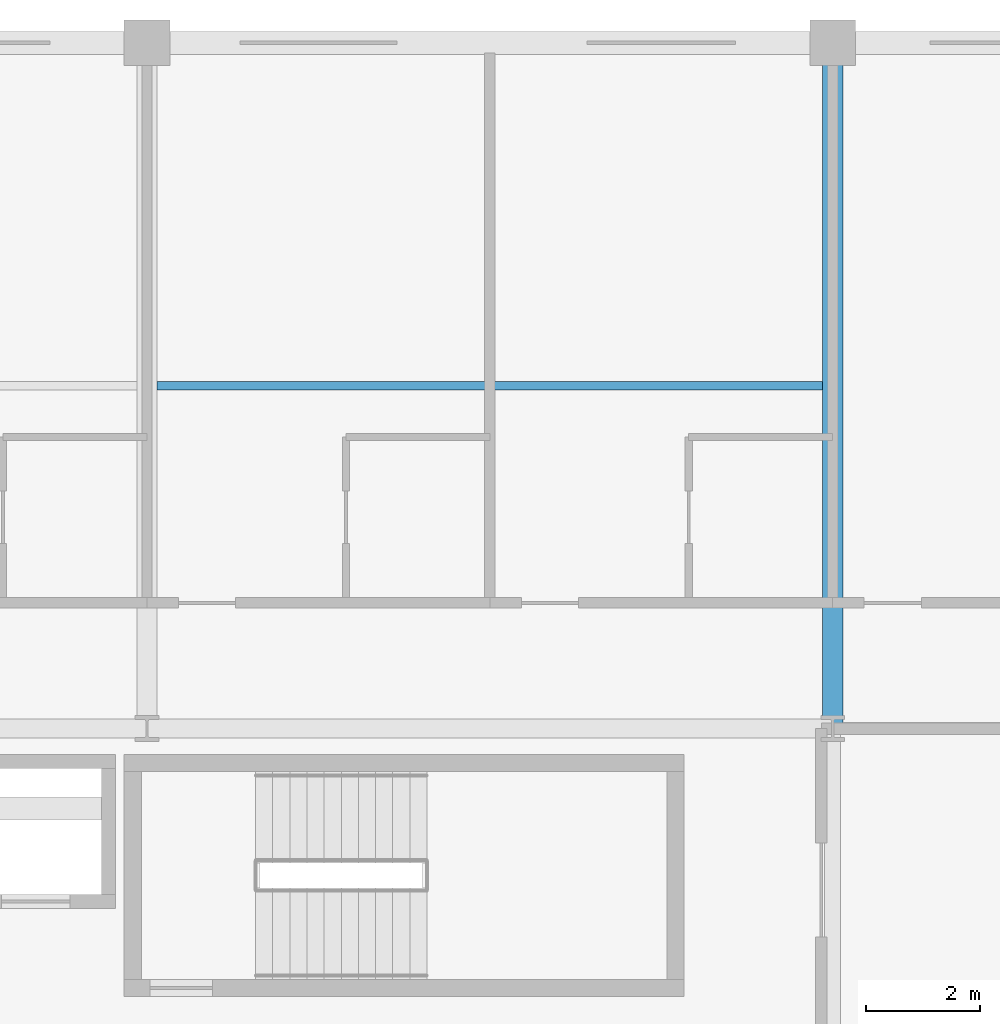
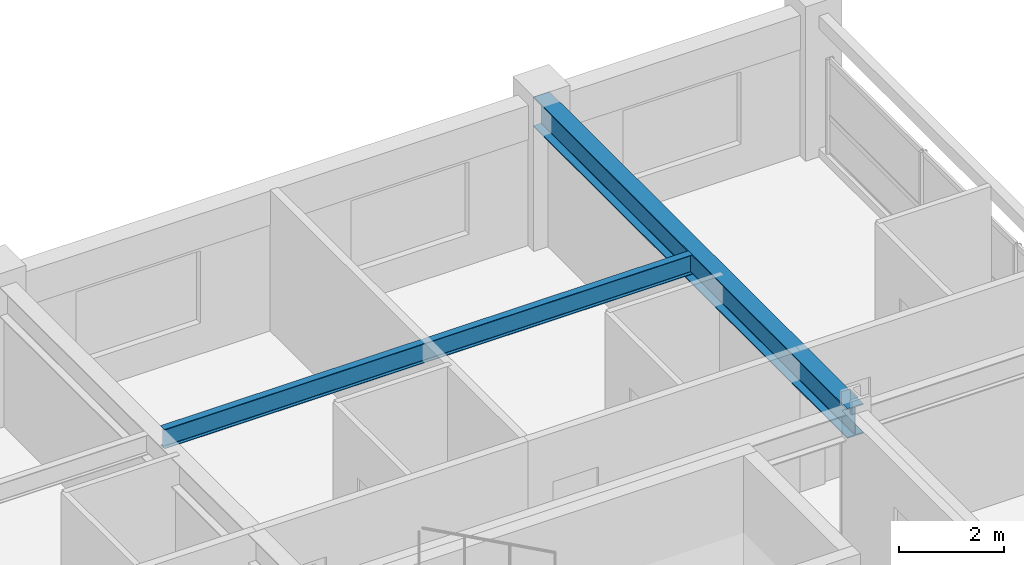
# One storey, part 15 of 26: 2 beams.
"""IFC4 building model written with IfcOpenShell, lengths in metres."""

from ifc_helpers import new_model, si_unit, direction, frame, origin, origin_2d, place, context, subcontext, project, spatial, i_section, extrude, material, material_profile, profile_set, type_object, element, save


model = new_model("IFC4")

# Units and contexts
model_context = context("Model", 3, precision=1e-05, world=origin(), true_north=direction((0.0, 1.0)))
body_context = subcontext(model_context, "Body", "Model", "MODEL_VIEW")
ifc_project = project(units=[si_unit("LENGTHUNIT", "METRE"), si_unit("AREAUNIT", "SQUARE_METRE"), si_unit("VOLUMEUNIT", "CUBIC_METRE"), si_unit("PLANEANGLEUNIT", "RADIAN"), si_unit("MASSUNIT", "GRAM", prefix="KILO")], contexts=[model_context])

# Site, building, storey
site_placement = place(None, origin())
site = spatial("IfcSite", under=ifc_project, at=site_placement, CompositionType="ELEMENT")
building_placement = place(site_placement, origin())
building = spatial("IfcBuilding", under=site, at=building_placement, Name="Kaldorvane Square Convention Centre", CompositionType="ELEMENT")
storey_placement = place(building_placement, frame((0.0, 0.0, 42.0)))
storey = spatial("IfcBuildingStorey", under=building, at=storey_placement, Name="L09", CompositionType="ELEMENT", Elevation=42.0)

# Beams
ifc_material = material(Name="Steel ASTM A992 Gr. 50", Category="steel")
ifc_material_profile_1 = material_profile(ifc_material, i_section(OverallWidth=0.354705810546875, OverallDepth=0.69549560546875, WebThickness=0.0153961181640625, FlangeThickness=0.0251007080078125, FilletRadius=0.01519775390625, at=origin_2d()), Name="W27X146")
ifc_profile_set_1 = profile_set([ifc_material_profile_1], Name="Steel ASTM A992 Gr. 50")
beam_type_1 = type_object("IfcBeamType", Name="BM-GR-W27X146", PredefinedType="BEAM", material=ifc_profile_set_1)
beam_1_placement = place(storey_placement, frame((78.0, 105.0, 2.93829345703125), z_axis=(0.0, 1.0, 0.0), x_axis=(-1.0, 0.0, 0.0)))
element("IfcBeam", 1, at=beam_1_placement, inside=storey, type_object=beam_type_1, Name="Transverse Girder (L09)", PredefinedType="BEAM", context=body_context, shape_type="SweptSolid", body=[
    extrude(i_section(OverallWidth=0.354705810546875, OverallDepth=0.69549560546875, WebThickness=0.0153961181640625, FlangeThickness=0.0251007080078125, FilletRadius=0.01519775390625, at=origin_2d()), origin(), (0.0, 0.0, 1.0), 12.0),
])
ifc_material_profile_2 = material_profile(ifc_material, i_section(OverallWidth=0.152801513671875, OverallDepth=0.4546966552734375, WebThickness=0.00799560546875, FlangeThickness=0.0133056640625, FilletRadius=0.01019287109375, at=origin_2d()), Name="W18X40")
ifc_profile_set_2 = profile_set([ifc_material_profile_2], Name="Steel ASTM A992 Gr. 50")
beam_type_2 = type_object("IfcBeamType", Name="BM-JS-W18X40", PredefinedType="JOIST", material=ifc_profile_set_2)
beam_2_placement = place(storey_placement, frame((66.17739868164062, 111.0, 3.0587005615234375), z_axis=(1.0, 0.0, 0.0), x_axis=(0.0, 1.0, 0.0)))
element("IfcBeam", 2, at=beam_2_placement, inside=storey, type_object=beam_type_2, Name="Secondary Floor Joist (L09)", PredefinedType="JOIST", context=body_context, shape_type="SweptSolid", body=[
    extrude(i_section(OverallWidth=0.152801513671875, OverallDepth=0.4546966552734375, WebThickness=0.00799560546875, FlangeThickness=0.0133056640625, FilletRadius=0.01019287109375, at=origin_2d()), origin(), (0.0, 0.0, 1.0), 11.64520263671875),
])

save(model, "model.ifc")
